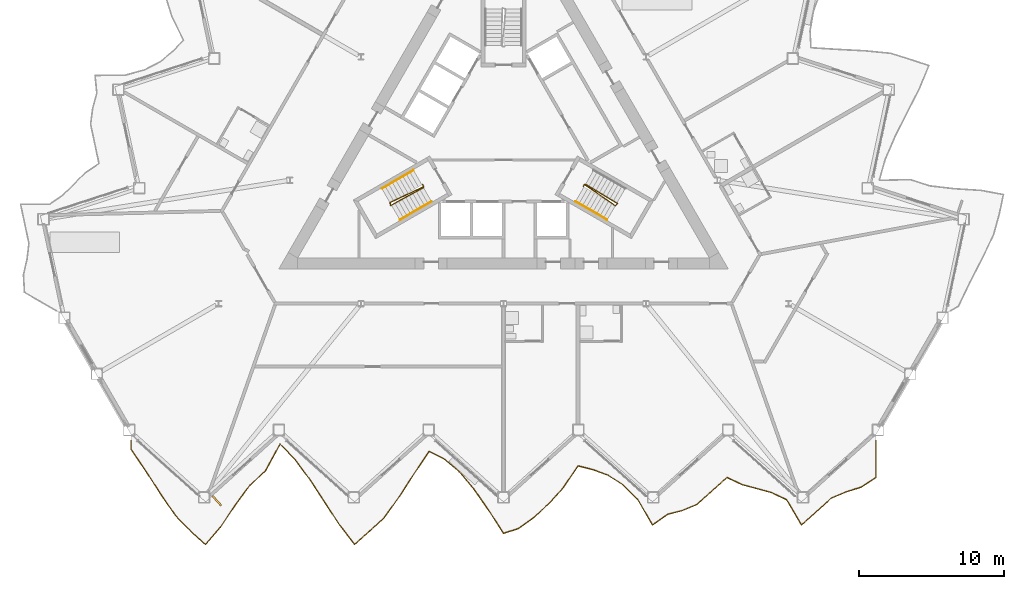
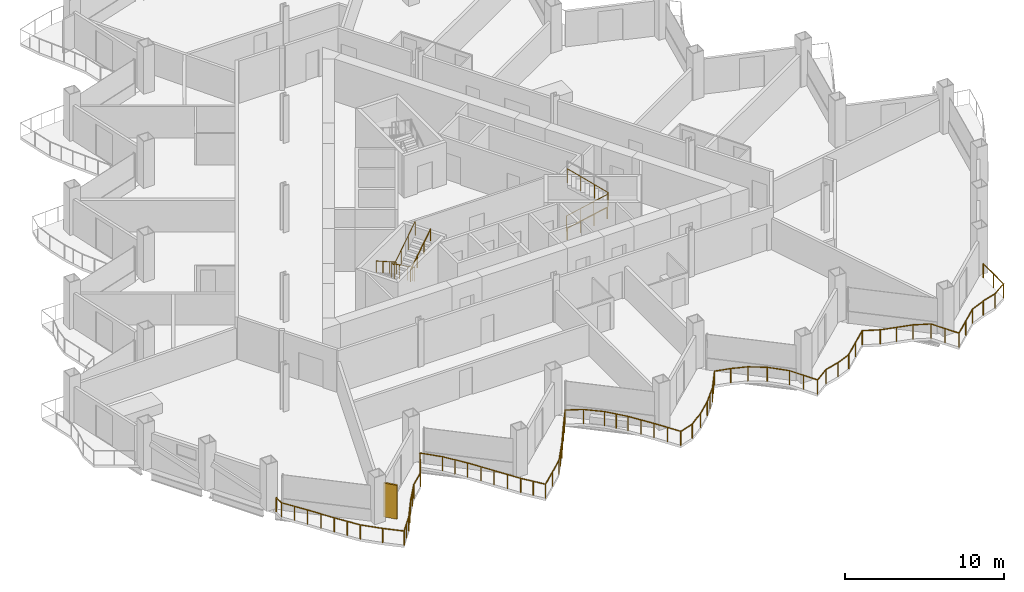
# One storey, part 18 of 22: 6 railings, 1 shading device.
"""IFC4 building model written with IfcOpenShell, lengths in metres."""

from ifc_helpers import new_model, si_unit, direction, frame, origin, origin_2d, place, context, subcontext, project, spatial, rectangle, circle, extrude, material, layer, layer_set, type_object, element, save


model = new_model("IFC4")

# Units and contexts
model_context = context("Model", 3, precision=1e-05, world=origin(), true_north=direction((0.0, 1.0)))
body_context = subcontext(model_context, "Body", "Model", "MODEL_VIEW")
ifc_project = project(units=[si_unit("LENGTHUNIT", "METRE"), si_unit("AREAUNIT", "SQUARE_METRE"), si_unit("VOLUMEUNIT", "CUBIC_METRE"), si_unit("PLANEANGLEUNIT", "RADIAN"), si_unit("MASSUNIT", "GRAM", prefix="KILO")], contexts=[model_context])

# Site, building, storey
site_placement = place(None, origin())
site = spatial("IfcSite", under=ifc_project, at=site_placement, CompositionType="ELEMENT")
building_placement = place(site_placement, origin())
building = spatial("IfcBuilding", under=site, at=building_placement, Name="Cormorant Prow Tower", CompositionType="ELEMENT")
storey_placement = place(building_placement, frame((0.0, 0.0, 190.800048828125)))
storey = spatial("IfcBuildingStorey", under=building, at=storey_placement, Name="L41", CompositionType="ELEMENT", Elevation=190.800048828125)

# Railings
ifc_material_1 = material(Name="Aluminium 6063-T6", Category="aluminium")
railing_type_1 = type_object("IfcRailingType", Name="Balcony guard 1100", PredefinedType="GUARDRAIL", material=ifc_material_1)
railing_1_placement = place(storey_placement, frame((-25.692626953125, -20.779052734375, 0.0)))
element("IfcRailing", 1, at=railing_1_placement, inside=storey, type_object=railing_type_1, Name="Balcony guard S", PredefinedType="GUARDRAIL", context=body_context, shape_type="SweptSolid", body=[
    extrude(circle(Radius=0.02392578125, at=origin_2d()), frame((0.0, 0.0, 1.076171875), z_axis=(0.0, -1.0, 0.0), x_axis=(1.0, 0.0, 0.0)), (0.0, 0.0, 1.0), 0.635986328125),
    extrude(circle(Radius=0.02392578125, at=origin_2d()), frame((0.0, -0.635986328125, 1.076171875), z_axis=(0.562880383359, -0.826538368153, 0.0), x_axis=(0.826538368153, 0.562880383359, 0.0)), (0.0, 0.0, 1.0), 1.825927734375),
    extrude(circle(Radius=0.02392578125, at=origin_2d()), frame((1.02783203125, -2.145263671875, 1.076171875), z_axis=(0.5414205618, -0.840751910649, 0.0), x_axis=(0.840751910649, 0.5414205618, 0.0)), (0.0, 0.0, 1.0), 1.89794921875),
    extrude(circle(Radius=0.02392578125, at=origin_2d()), frame((2.055419921875, -3.740966796875, 1.076171875), z_axis=(0.56798835838, -0.823036587731, 0.0), x_axis=(0.823036587731, 0.56798835838, 0.0)), (0.0, 0.0, 1.0), 1.80908203125),
    extrude(circle(Radius=0.02392578125, at=origin_2d()), frame((3.0830078125, -5.22998046875, 1.076171875), z_axis=(0.702503094506, -0.711680688377, 0.0), x_axis=(0.711680688377, 0.702503094506, 0.0)), (0.0, 0.0, 1.0), 1.463134765625),
    extrude(circle(Radius=0.02392578125, at=origin_2d()), frame((4.11083984375, -6.271240234375, 1.076171875), z_axis=(0.743127320917, -0.669150046632, 0.0), x_axis=(0.669150046632, 0.743127320917, 0.0)), (0.0, 0.0, 1.0), 1.3828125),
    extrude(circle(Radius=0.02392578125, at=origin_2d()), frame((5.138427734375, -7.196533203125, 1.076171875), z_axis=(0.65038416504, 0.759605448812, 0.0), x_axis=(-0.759605448812, 0.65038416504, 0.0)), (0.0, 0.0, 1.0), 1.580322265625),
    extrude(circle(Radius=0.02392578125, at=origin_2d()), frame((6.166259765625, -5.99609375, 1.076171875), z_axis=(0.554122819818, 0.832434922716, 0.0), x_axis=(-0.832434922716, 0.554122819818, 0.0)), (0.0, 0.0, 1.0), 1.8544921875),
    extrude(circle(Radius=0.02392578125, at=origin_2d()), frame((7.19384765625, -4.452392578125, 1.076171875), z_axis=(0.59681979502, 0.80237530637, 0.0), x_axis=(-0.80237530637, 0.59681979502, 0.0)), (0.0, 0.0, 1.0), 1.72216796875),
    extrude(circle(Radius=0.02392578125, at=origin_2d()), frame((8.2216796875, -3.070556640625, 1.076171875), z_axis=(0.743127320917, 0.669150046632, 0.0), x_axis=(-0.669150046632, 0.743127320917, 0.0)), (0.0, 0.0, 1.0), 1.3828125),
    extrude(circle(Radius=0.02392578125, at=origin_2d()), frame((9.249267578125, -2.145263671875, 1.076171875), z_axis=(0.481172710417, 0.87662581684, 0.0), x_axis=(-0.87662581684, 0.481172710417, 0.0)), (0.0, 0.0, 1.0), 2.135986328125),
    extrude(circle(Radius=0.02392578125, at=origin_2d()), frame((10.277099609375, -0.272705078125, 1.076171875), z_axis=(0.69552877323, -0.718498243289, 0.0), x_axis=(0.718498243289, 0.69552877323, 0.0)), (0.0, 0.0, 1.0), 1.4775390625),
    extrude(circle(Radius=0.02392578125, at=origin_2d()), frame((11.3046875, -1.334228515625, 1.076171875), z_axis=(0.597023504083, -0.802223744084, 0.0), x_axis=(0.802223744084, 0.597023504083, 0.0)), (0.0, 0.0, 1.0), 1.7216796875),
    extrude(circle(Radius=0.02392578125, at=origin_2d()), frame((12.33251953125, -2.71533203125, 1.076171875), z_axis=(0.547684018413, -0.836685255024, 0.0), x_axis=(0.836685255024, 0.547684018413, 0.0)), (0.0, 0.0, 1.0), 1.876220703125),
    extrude(circle(Radius=0.02392578125, at=origin_2d()), frame((13.360107421875, -4.28515625, 1.076171875), z_axis=(0.547060291965, -0.83709320685, 0.0), x_axis=(0.83709320685, 0.547060291965, 0.0)), (0.0, 0.0, 1.0), 1.87890625),
    extrude(circle(Radius=0.02392578125, at=origin_2d()), frame((14.387939453125, -5.85791015625, 1.076171875), z_axis=(0.608920414258, -0.793231321306, 0.0), x_axis=(0.793231321306, 0.608920414258, 0.0)), (0.0, 0.0, 1.0), 1.6875),
    extrude(circle(Radius=0.02392578125, at=origin_2d()), frame((15.41552734375, -7.196533203125, 1.076171875), z_axis=(0.743206360721, 0.669062258227, 0.0), x_axis=(-0.669062258227, 0.743206360721, 0.0)), (0.0, 0.0, 1.0), 1.383056640625),
    extrude(circle(Radius=0.02392578125, at=origin_2d()), frame((16.443359375, -6.271240234375, 1.076171875), z_axis=(0.738398132873, 0.674365032731, 0.0), x_axis=(-0.674365032731, 0.738398132873, 0.0)), (0.0, 0.0, 1.0), 1.3916015625),
    extrude(circle(Radius=0.02392578125, at=origin_2d()), frame((17.470947265625, -5.332763671875, 1.076171875), z_axis=(0.582218913064, 0.81303206411, 0.0), x_axis=(-0.81303206411, 0.582218913064, 0.0)), (0.0, 0.0, 1.0), 1.765380859375),
    extrude(circle(Radius=0.02392578125, at=origin_2d()), frame((18.498779296875, -3.8974609375, 1.076171875), z_axis=(0.543476120583, 0.839424628157, 0.0), x_axis=(-0.839424628157, 0.543476120583, 0.0)), (0.0, 0.0, 1.0), 1.890869140625),
    extrude(circle(Radius=0.02392578125, at=origin_2d()), frame((19.5263671875, -2.310302734375, 1.076171875), z_axis=(0.553122603933, 0.833099864973, 0.0), x_axis=(-0.833099864973, 0.553122603933, 0.0)), (0.0, 0.0, 1.0), 1.858154296875),
    extrude(circle(Radius=0.02392578125, at=origin_2d()), frame((20.55419921875, -0.76220703125, 1.076171875), z_axis=(0.89199817842, -0.452038991345, 0.0), x_axis=(0.452038991345, 0.89199817842, 0.0)), (0.0, 0.0, 1.0), 1.152099609375),
    extrude(circle(Radius=0.02392578125, at=origin_2d()), frame((21.581787109375, -1.282958984375, 1.076171875), z_axis=(0.768789762863, -0.639501603217, 0.0), x_axis=(0.639501603217, 0.768789762863, 0.0)), (0.0, 0.0, 1.0), 1.3369140625),
    extrude(circle(Radius=0.02392578125, at=origin_2d()), frame((22.609619140625, -2.137939453125, 1.076171875), z_axis=(0.647402819957, -0.762148009714, 0.0), x_axis=(0.762148009714, 0.647402819957, 0.0)), (0.0, 0.0, 1.0), 1.587158203125),
    extrude(circle(Radius=0.02392578125, at=origin_2d()), frame((23.63720703125, -3.34765625, 1.076171875), z_axis=(0.569723566224, -0.821836393748, 0.0), x_axis=(0.821836393748, 0.569723566224, 0.0)), (0.0, 0.0, 1.0), 1.80419921875),
    extrude(circle(Radius=0.02392578125, at=origin_2d()), frame((24.6650390625, -4.830322265625, 1.076171875), z_axis=(0.541537690381, -0.840676471597, 0.0), x_axis=(0.840676471597, 0.541537690381, 0.0)), (0.0, 0.0, 1.0), 1.8974609375),
    extrude(circle(Radius=0.02392578125, at=origin_2d()), frame((25.692626953125, -6.425537109375, 1.076171875), z_axis=(0.950496607834, 0.310734932853, 0.0), x_axis=(-0.310734932853, 0.950496607834, 0.0)), (0.0, 0.0, 1.0), 1.0810546875),
    extrude(circle(Radius=0.02392578125, at=origin_2d()), frame((26.72021484375, -6.089599609375, 1.076171875), z_axis=(0.810181630991, 0.586178918765, 0.0), x_axis=(-0.586178918765, 0.810181630991, 0.0)), (0.0, 0.0, 1.0), 1.2685546875),
    extrude(circle(Radius=0.02392578125, at=origin_2d()), frame((27.748046875, -5.345947265625, 1.076171875), z_axis=(0.743127320917, 0.669150046632, 0.0), x_axis=(-0.669150046632, 0.743127320917, 0.0)), (0.0, 0.0, 1.0), 1.3828125),
    extrude(circle(Radius=0.02392578125, at=origin_2d()), frame((28.775634765625, -4.420654296875, 1.076171875), z_axis=(0.673388996179, 0.739288346874, 0.0), x_axis=(-0.739288346874, 0.673388996179, 0.0)), (0.0, 0.0, 1.0), 1.5263671875),
    extrude(circle(Radius=0.02392578125, at=origin_2d()), frame((29.803466796875, -3.292236328125, 1.076171875), z_axis=(0.559445461003, 0.828867164365, 0.0), x_axis=(-0.828867164365, 0.559445461003, 0.0)), (0.0, 0.0, 1.0), 1.8369140625),
    extrude(circle(Radius=0.02392578125, at=origin_2d()), frame((30.8310546875, -1.769775390625, 1.076171875), z_axis=(0.970223783339, -0.242210260401, 0.0), x_axis=(0.242210260401, 0.970223783339, 0.0)), (0.0, 0.0, 1.0), 1.059326171875),
    extrude(circle(Radius=0.02392578125, at=origin_2d()), frame((31.85888671875, -2.0263671875, 1.076171875), z_axis=(0.938825840558, -0.344392277933, 0.0), x_axis=(0.344392277933, 0.938825840558, 0.0)), (0.0, 0.0, 1.0), 1.094482421875),
    extrude(circle(Radius=0.02392578125, at=origin_2d()), frame((32.886474609375, -2.4033203125, 1.076171875), z_axis=(0.843125057898, -0.537717525049, 0.0), x_axis=(0.537717525049, 0.843125057898, 0.0)), (0.0, 0.0, 1.0), 1.218994140625),
    extrude(circle(Radius=0.02392578125, at=origin_2d()), frame((33.914306640625, -3.058837890625, 1.076171875), z_axis=(0.712756953572, -0.701411095674, 0.0), x_axis=(0.701411095674, 0.712756953572, 0.0)), (0.0, 0.0, 1.0), 1.441650390625),
    extrude(circle(Radius=0.02392578125, at=origin_2d()), frame((34.94189453125, -4.070068359375, 1.076171875), z_axis=(0.500768984938, -0.865580974678, 0.0), x_axis=(0.865580974678, 0.500768984938, 0.0)), (0.0, 0.0, 1.0), 2.052490234375),
    extrude(circle(Radius=0.02392578125, at=origin_2d()), frame((35.9697265625, -5.8466796875, 1.076171875), z_axis=(0.814961420902, 0.579515213295, 0.0), x_axis=(-0.579515213295, 0.814961420902, 0.0)), (0.0, 0.0, 1.0), 1.260986328125),
    extrude(circle(Radius=0.02392578125, at=origin_2d()), frame((36.997314453125, -5.115966796875, 1.076171875), z_axis=(0.967967929933, 0.251073866862, 0.0), x_axis=(-0.251073866862, 0.967967929933, 0.0)), (0.0, 0.0, 1.0), 1.061767578125),
    extrude(circle(Radius=0.02392578125, at=origin_2d()), frame((38.025146484375, -4.849365234375, 1.076171875), z_axis=(0.922901671941, 0.385035717731, 0.0), x_axis=(-0.385035717731, 0.922901671941, 0.0)), (0.0, 0.0, 1.0), 1.113525390625),
    extrude(circle(Radius=0.02392578125, at=origin_2d()), frame((39.052734375, -4.420654296875, 1.076171875), z_axis=(0.743206360721, 0.669062258227, 0.0), x_axis=(-0.669062258227, 0.743206360721, 0.0)), (0.0, 0.0, 1.0), 1.383056640625),
    extrude(circle(Radius=0.02392578125, at=origin_2d()), frame((40.08056640625, -3.495361328125, 1.076171875), z_axis=(0.743127320917, 0.669150046632, 0.0), x_axis=(-0.669150046632, 0.743127320917, 0.0)), (0.0, 0.0, 1.0), 1.3828125),
    extrude(circle(Radius=0.02392578125, at=origin_2d()), frame((41.108154296875, -2.570068359375, 1.076171875), z_axis=(0.90400437301, -0.427523208234, 0.0), x_axis=(0.427523208234, 0.90400437301, 0.0)), (0.0, 0.0, 1.0), 1.136962890625),
    extrude(circle(Radius=0.02392578125, at=origin_2d()), frame((42.135986328125, -3.05615234375, 1.076171875), z_axis=(0.966200640542, -0.257791237664, 0.0), x_axis=(0.257791237664, 0.966200640542, 0.0)), (0.0, 0.0, 1.0), 1.0634765625),
    extrude(circle(Radius=0.02392578125, at=origin_2d()), frame((43.16357421875, -3.330322265625, 1.076171875), z_axis=(0.96354413656, -0.267549428893, 0.0), x_axis=(0.267549428893, 0.96354413656, 0.0)), (0.0, 0.0, 1.0), 1.066650390625),
    extrude(circle(Radius=0.02392578125, at=origin_2d()), frame((44.19140625, -3.61572265625, 1.076171875), z_axis=(0.905539017298, -0.424262994087, 0.0), x_axis=(0.424262994087, 0.905539017298, 0.0)), (0.0, 0.0, 1.0), 1.134765625),
    extrude(circle(Radius=0.02392578125, at=origin_2d()), frame((45.218994140625, -4.09716796875, 1.076171875), z_axis=(0.506546812459, -0.862212460353, 0.0), x_axis=(0.862212460353, 0.506546812459, 0.0)), (0.0, 0.0, 1.0), 2.029052734375),
    extrude(circle(Radius=0.02392578125, at=origin_2d()), frame((46.246826171875, -5.8466796875, 1.076171875), z_axis=(0.743127320917, 0.669150046632, 0.0), x_axis=(-0.669150046632, 0.743127320917, 0.0)), (0.0, 0.0, 1.0), 1.3828125),
    extrude(circle(Radius=0.02392578125, at=origin_2d()), frame((47.2744140625, -4.92138671875, 1.076171875), z_axis=(0.743118583138, 0.66915975028, 0.0), x_axis=(-0.66915975028, 0.743118583138, 0.0)), (0.0, 0.0, 1.0), 1.383056640625),
    extrude(circle(Radius=0.02392578125, at=origin_2d()), frame((48.30224609375, -3.995849609375, 1.076171875), z_axis=(0.919449829032, 0.393207339572, 0.0), x_axis=(-0.393207339572, 0.919449829032, 0.0)), (0.0, 0.0, 1.0), 1.11767578125),
    extrude(circle(Radius=0.02392578125, at=origin_2d()), frame((49.329833984375, -3.556396484375, 1.076171875), z_axis=(0.956547183631, 0.291577580565, 0.0), x_axis=(-0.291577580565, 0.956547183631, 0.0)), (0.0, 0.0, 1.0), 1.07421875),
    extrude(circle(Radius=0.02392578125, at=origin_2d()), frame((50.357421875, -3.2431640625, 1.076171875), z_axis=(0.83657732916, 0.547848859025, 0.0), x_axis=(-0.547848859025, 0.83657732916, 0.0)), (0.0, 0.0, 1.0), 1.228515625),
    extrude(circle(Radius=0.02392578125, at=origin_2d()), frame((51.38525390625, -2.570068359375, 1.076171875), z_axis=(0.0, 1.0, 0.0), x_axis=(-1.0, 0.0, 0.0)), (0.0, 0.0, 1.0), 2.570068359375),
    extrude(circle(Radius=0.02099609375, at=origin_2d()), origin(), (0.0, 0.0, 1.0), 1.052001953125),
    extrude(circle(Radius=0.02099609375, at=origin_2d()), frame((0.0, -0.635986328125, 0.0)), (0.0, 0.0, 1.0), 1.052001953125),
    extrude(circle(Radius=0.02099609375, at=origin_2d()), frame((0.513916015625, -1.390625, 0.0)), (0.0, 0.0, 1.0), 1.052001953125),
    extrude(circle(Radius=0.02099609375, at=origin_2d()), frame((1.02783203125, -2.145263671875, 0.0)), (0.0, 0.0, 1.0), 1.052001953125),
    extrude(circle(Radius=0.02099609375, at=origin_2d()), frame((1.54150390625, -2.943115234375, 0.0)), (0.0, 0.0, 1.0), 1.052001953125),
    extrude(circle(Radius=0.02099609375, at=origin_2d()), frame((2.055419921875, -3.740966796875, 0.0)), (0.0, 0.0, 1.0), 1.052001953125),
    extrude(circle(Radius=0.02099609375, at=origin_2d()), frame((2.5693359375, -4.4853515625, 0.0)), (0.0, 0.0, 1.0), 1.052001953125),
    extrude(circle(Radius=0.02099609375, at=origin_2d()), frame((3.0830078125, -5.22998046875, 0.0)), (0.0, 0.0, 1.0), 1.052001953125),
    extrude(circle(Radius=0.02099609375, at=origin_2d()), frame((4.11083984375, -6.271240234375, 0.0)), (0.0, 0.0, 1.0), 1.052001953125),
    extrude(circle(Radius=0.02099609375, at=origin_2d()), frame((5.138427734375, -7.196533203125, 0.0)), (0.0, 0.0, 1.0), 1.052001953125),
    extrude(circle(Radius=0.02099609375, at=origin_2d()), frame((5.65234375, -6.59619140625, 0.0)), (0.0, 0.0, 1.0), 1.052001953125),
    extrude(circle(Radius=0.02099609375, at=origin_2d()), frame((6.166259765625, -5.99609375, 0.0)), (0.0, 0.0, 1.0), 1.052001953125),
    extrude(circle(Radius=0.02099609375, at=origin_2d()), frame((6.68017578125, -5.22412109375, 0.0)), (0.0, 0.0, 1.0), 1.052001953125),
    extrude(circle(Radius=0.02099609375, at=origin_2d()), frame((7.19384765625, -4.452392578125, 0.0)), (0.0, 0.0, 1.0), 1.052001953125),
    extrude(circle(Radius=0.02099609375, at=origin_2d()), frame((7.707763671875, -3.761474609375, 0.0)), (0.0, 0.0, 1.0), 1.052001953125),
    extrude(circle(Radius=0.02099609375, at=origin_2d()), frame((8.2216796875, -3.070556640625, 0.0)), (0.0, 0.0, 1.0), 1.052001953125),
    extrude(circle(Radius=0.02099609375, at=origin_2d()), frame((9.249267578125, -2.145263671875, 0.0)), (0.0, 0.0, 1.0), 1.052001953125),
    extrude(circle(Radius=0.02099609375, at=origin_2d()), frame((9.76318359375, -1.208984375, 0.0)), (0.0, 0.0, 1.0), 1.052001953125),
    extrude(circle(Radius=0.02099609375, at=origin_2d()), frame((10.277099609375, -0.272705078125, 0.0)), (0.0, 0.0, 1.0), 1.052001953125),
    extrude(circle(Radius=0.02099609375, at=origin_2d()), frame((11.3046875, -1.334228515625, 0.0)), (0.0, 0.0, 1.0), 1.052001953125),
    extrude(circle(Radius=0.02099609375, at=origin_2d()), frame((11.818603515625, -2.02490234375, 0.0)), (0.0, 0.0, 1.0), 1.052001953125),
    extrude(circle(Radius=0.02099609375, at=origin_2d()), frame((12.33251953125, -2.71533203125, 0.0)), (0.0, 0.0, 1.0), 1.052001953125),
    extrude(circle(Radius=0.02099609375, at=origin_2d()), frame((12.84619140625, -3.500244140625, 0.0)), (0.0, 0.0, 1.0), 1.052001953125),
    extrude(circle(Radius=0.02099609375, at=origin_2d()), frame((13.360107421875, -4.28515625, 0.0)), (0.0, 0.0, 1.0), 1.052001953125),
    extrude(circle(Radius=0.02099609375, at=origin_2d()), frame((13.8740234375, -5.071533203125, 0.0)), (0.0, 0.0, 1.0), 1.052001953125),
    extrude(circle(Radius=0.02099609375, at=origin_2d()), frame((14.387939453125, -5.85791015625, 0.0)), (0.0, 0.0, 1.0), 1.052001953125),
    extrude(circle(Radius=0.02099609375, at=origin_2d()), frame((14.90185546875, -6.52734375, 0.0)), (0.0, 0.0, 1.0), 1.052001953125),
    extrude(circle(Radius=0.02099609375, at=origin_2d()), frame((15.41552734375, -7.196533203125, 0.0)), (0.0, 0.0, 1.0), 1.052001953125),
    extrude(circle(Radius=0.02099609375, at=origin_2d()), frame((16.443359375, -6.271240234375, 0.0)), (0.0, 0.0, 1.0), 1.052001953125),
    extrude(circle(Radius=0.02099609375, at=origin_2d()), frame((17.470947265625, -5.332763671875, 0.0)), (0.0, 0.0, 1.0), 1.052001953125),
    extrude(circle(Radius=0.02099609375, at=origin_2d()), frame((17.98486328125, -4.615234375, 0.0)), (0.0, 0.0, 1.0), 1.052001953125),
    extrude(circle(Radius=0.02099609375, at=origin_2d()), frame((18.498779296875, -3.8974609375, 0.0)), (0.0, 0.0, 1.0), 1.052001953125),
    extrude(circle(Radius=0.02099609375, at=origin_2d()), frame((19.0126953125, -3.10400390625, 0.0)), (0.0, 0.0, 1.0), 1.052001953125),
    extrude(circle(Radius=0.02099609375, at=origin_2d()), frame((19.5263671875, -2.310302734375, 0.0)), (0.0, 0.0, 1.0), 1.052001953125),
    extrude(circle(Radius=0.02099609375, at=origin_2d()), frame((20.040283203125, -1.5361328125, 0.0)), (0.0, 0.0, 1.0), 1.052001953125),
    extrude(circle(Radius=0.02099609375, at=origin_2d()), frame((20.55419921875, -0.76220703125, 0.0)), (0.0, 0.0, 1.0), 1.052001953125),
    extrude(circle(Radius=0.02099609375, at=origin_2d()), frame((21.581787109375, -1.282958984375, 0.0)), (0.0, 0.0, 1.0), 1.052001953125),
    extrude(circle(Radius=0.02099609375, at=origin_2d()), frame((22.609619140625, -2.137939453125, 0.0)), (0.0, 0.0, 1.0), 1.052001953125),
    extrude(circle(Radius=0.02099609375, at=origin_2d()), frame((23.12353515625, -2.74267578125, 0.0)), (0.0, 0.0, 1.0), 1.052001953125),
    extrude(circle(Radius=0.02099609375, at=origin_2d()), frame((23.63720703125, -3.34765625, 0.0)), (0.0, 0.0, 1.0), 1.052001953125),
    extrude(circle(Radius=0.02099609375, at=origin_2d()), frame((24.151123046875, -4.0888671875, 0.0)), (0.0, 0.0, 1.0), 1.052001953125),
    extrude(circle(Radius=0.02099609375, at=origin_2d()), frame((24.6650390625, -4.830322265625, 0.0)), (0.0, 0.0, 1.0), 1.052001953125),
    extrude(circle(Radius=0.02099609375, at=origin_2d()), frame((25.1787109375, -5.6279296875, 0.0)), (0.0, 0.0, 1.0), 1.052001953125),
    extrude(circle(Radius=0.02099609375, at=origin_2d()), frame((25.692626953125, -6.425537109375, 0.0)), (0.0, 0.0, 1.0), 1.052001953125),
    extrude(circle(Radius=0.02099609375, at=origin_2d()), frame((26.72021484375, -6.089599609375, 0.0)), (0.0, 0.0, 1.0), 1.052001953125),
    extrude(circle(Radius=0.02099609375, at=origin_2d()), frame((27.748046875, -5.345947265625, 0.0)), (0.0, 0.0, 1.0), 1.052001953125),
    extrude(circle(Radius=0.02099609375, at=origin_2d()), frame((28.775634765625, -4.420654296875, 0.0)), (0.0, 0.0, 1.0), 1.052001953125),
    extrude(circle(Radius=0.02099609375, at=origin_2d()), frame((29.28955078125, -3.8564453125, 0.0)), (0.0, 0.0, 1.0), 1.052001953125),
    extrude(circle(Radius=0.02099609375, at=origin_2d()), frame((29.803466796875, -3.292236328125, 0.0)), (0.0, 0.0, 1.0), 1.052001953125),
    extrude(circle(Radius=0.02099609375, at=origin_2d()), frame((30.3173828125, -2.531005859375, 0.0)), (0.0, 0.0, 1.0), 1.052001953125),
    extrude(circle(Radius=0.02099609375, at=origin_2d()), frame((30.8310546875, -1.769775390625, 0.0)), (0.0, 0.0, 1.0), 1.052001953125),
    extrude(circle(Radius=0.02099609375, at=origin_2d()), frame((31.85888671875, -2.0263671875, 0.0)), (0.0, 0.0, 1.0), 1.052001953125),
    extrude(circle(Radius=0.02099609375, at=origin_2d()), frame((32.886474609375, -2.4033203125, 0.0)), (0.0, 0.0, 1.0), 1.052001953125),
    extrude(circle(Radius=0.02099609375, at=origin_2d()), frame((33.914306640625, -3.058837890625, 0.0)), (0.0, 0.0, 1.0), 1.052001953125),
    extrude(circle(Radius=0.02099609375, at=origin_2d()), frame((34.94189453125, -4.070068359375, 0.0)), (0.0, 0.0, 1.0), 1.052001953125),
    extrude(circle(Radius=0.02099609375, at=origin_2d()), frame((35.455810546875, -4.95849609375, 0.0)), (0.0, 0.0, 1.0), 1.052001953125),
    extrude(circle(Radius=0.02099609375, at=origin_2d()), frame((35.9697265625, -5.8466796875, 0.0)), (0.0, 0.0, 1.0), 1.052001953125),
    extrude(circle(Radius=0.02099609375, at=origin_2d()), frame((36.997314453125, -5.115966796875, 0.0)), (0.0, 0.0, 1.0), 1.052001953125),
    extrude(circle(Radius=0.02099609375, at=origin_2d()), frame((38.025146484375, -4.849365234375, 0.0)), (0.0, 0.0, 1.0), 1.052001953125),
    extrude(circle(Radius=0.02099609375, at=origin_2d()), frame((39.052734375, -4.420654296875, 0.0)), (0.0, 0.0, 1.0), 1.052001953125),
    extrude(circle(Radius=0.02099609375, at=origin_2d()), frame((40.08056640625, -3.495361328125, 0.0)), (0.0, 0.0, 1.0), 1.052001953125),
    extrude(circle(Radius=0.02099609375, at=origin_2d()), frame((41.108154296875, -2.570068359375, 0.0)), (0.0, 0.0, 1.0), 1.052001953125),
    extrude(circle(Radius=0.02099609375, at=origin_2d()), frame((42.135986328125, -3.05615234375, 0.0)), (0.0, 0.0, 1.0), 1.052001953125),
    extrude(circle(Radius=0.02099609375, at=origin_2d()), frame((43.16357421875, -3.330322265625, 0.0)), (0.0, 0.0, 1.0), 1.052001953125),
    extrude(circle(Radius=0.02099609375, at=origin_2d()), frame((44.19140625, -3.61572265625, 0.0)), (0.0, 0.0, 1.0), 1.052001953125),
    extrude(circle(Radius=0.02099609375, at=origin_2d()), frame((45.218994140625, -4.09716796875, 0.0)), (0.0, 0.0, 1.0), 1.052001953125),
    extrude(circle(Radius=0.02099609375, at=origin_2d()), frame((45.73291015625, -4.971923828125, 0.0)), (0.0, 0.0, 1.0), 1.052001953125),
    extrude(circle(Radius=0.02099609375, at=origin_2d()), frame((46.246826171875, -5.8466796875, 0.0)), (0.0, 0.0, 1.0), 1.052001953125),
    extrude(circle(Radius=0.02099609375, at=origin_2d()), frame((47.2744140625, -4.92138671875, 0.0)), (0.0, 0.0, 1.0), 1.052001953125),
    extrude(circle(Radius=0.02099609375, at=origin_2d()), frame((48.30224609375, -3.995849609375, 0.0)), (0.0, 0.0, 1.0), 1.052001953125),
    extrude(circle(Radius=0.02099609375, at=origin_2d()), frame((49.329833984375, -3.556396484375, 0.0)), (0.0, 0.0, 1.0), 1.052001953125),
    extrude(circle(Radius=0.02099609375, at=origin_2d()), frame((50.357421875, -3.2431640625, 0.0)), (0.0, 0.0, 1.0), 1.052001953125),
    extrude(circle(Radius=0.02099609375, at=origin_2d()), frame((51.38525390625, -2.570068359375, 0.0)), (0.0, 0.0, 1.0), 1.052001953125),
    extrude(circle(Radius=0.02099609375, at=origin_2d()), frame((51.38525390625, -1.28515625, 0.0)), (0.0, 0.0, 1.0), 1.052001953125),
    extrude(circle(Radius=0.02099609375, at=origin_2d()), frame((51.38525390625, 0.0, 0.0)), (0.0, 0.0, 1.0), 1.052001953125),
])
ifc_material_2 = material(Name="Stainless steel", Category="steel")
railing_type_2 = type_object("IfcRailingType", Name="Stair guard 1100", PredefinedType="GUARDRAIL", material=ifc_material_2)
railing_2_placement = place(storey_placement, frame((-5.585205078125, -3.137939453125, 0.0)))
element("IfcRailing", 2, at=railing_2_placement, inside=storey, type_object=railing_type_2, Name="L41 ST1 stair guard 1", PredefinedType="GUARDRAIL", context=body_context, shape_type="SweptSolid", body=[
    extrude(circle(Radius=0.02392578125, at=origin_2d()), frame((0.0, 0.0, 1.076171875), z_axis=(0.501036270542, -0.865426285481, 0.0), x_axis=(0.865426285481, 0.501036270542, 0.0)), (0.0, 0.0, 1.0), 0.150146484375),
    extrude(circle(Radius=0.02392578125, at=origin_2d()), frame((0.0751953125, -0.1298828125, 1.076171875), z_axis=(-0.739707038506, -0.353624380995, 0.572523619033), x_axis=(0.431308035802, -0.902204731895, 0.0)), (0.0, 0.0, 1.0), 3.14404296875),
    extrude(circle(Radius=0.02392578125, at=origin_2d()), frame((-2.25048828125, -1.24169921875, 2.8759765625), z_axis=(0.274721127897, -0.961523947641, 0.0), x_axis=(0.961523947641, 0.274721127897, 0.0)), (0.0, 0.0, 1.0), 0.2060546875),
    extrude(circle(Radius=0.02392578125, at=origin_2d()), frame((-2.19384765625, -1.43994140625, 2.8759765625), z_axis=(0.717255481879, 0.395700334183, 0.573555419504), x_axis=(-0.483052234887, 0.87559153626, 0.0)), (0.0, 0.0, 1.0), 3.137939453125),
    extrude(circle(Radius=0.02099609375, at=origin_2d()), origin(), (0.0, 0.0, 1.0), 1.052001953125),
    extrude(circle(Radius=0.02099609375, at=origin_2d()), frame((0.0751953125, -0.1298828125, 0.0)), (0.0, 0.0, 1.0), 1.052001953125),
    extrude(circle(Radius=0.02099609375, at=origin_2d()), frame((-0.699951171875, -0.50048828125, 0.60009765625)), (0.0, 0.0, 1.0), 1.052001953125),
    extrude(circle(Radius=0.02099609375, at=origin_2d()), frame((-1.475341796875, -0.87109375, 1.199951171875)), (0.0, 0.0, 1.0), 1.052001953125),
    extrude(circle(Radius=0.02099609375, at=origin_2d()), frame((-2.25048828125, -1.24169921875, 1.800048828125)), (0.0, 0.0, 1.0), 1.052001953125),
    extrude(circle(Radius=0.02099609375, at=origin_2d()), frame((-2.19384765625, -1.43994140625, 1.800048828125)), (0.0, 0.0, 1.0), 1.052001953125),
    extrude(circle(Radius=0.02099609375, at=origin_2d()), frame((-1.443603515625, -1.026123046875, 2.39990234375)), (0.0, 0.0, 1.0), 1.052001953125),
    extrude(circle(Radius=0.02099609375, at=origin_2d()), frame((-0.693359375, -0.612060546875, 3.0)), (0.0, 0.0, 1.0), 1.052001953125),
    extrude(circle(Radius=0.02099609375, at=origin_2d()), frame((0.056884765625, -0.1982421875, 3.599853515625)), (0.0, 0.0, 1.0), 1.052001953125),
])
railing_3_placement = place(storey_placement, frame((5.510009765625, -3.267822265625, 0.0)))
element("IfcRailing", 3, at=railing_3_placement, inside=storey, type_object=railing_type_2, Name="L41 ST2 stair guard 1", PredefinedType="GUARDRAIL", context=body_context, shape_type="SweptSolid", body=[
    extrude(circle(Radius=0.02392578125, at=origin_2d()), frame((0.0, 0.0, 1.076171875), z_axis=(0.501036270542, 0.865426285481, 0.0), x_axis=(-0.865426285481, 0.501036270542, 0.0)), (0.0, 0.0, 1.0), 0.150146484375),
    extrude(circle(Radius=0.02392578125, at=origin_2d()), frame((0.0751953125, 0.1298828125, 1.076171875), z_axis=(0.676058237057, -0.463829066155, 0.572545070276), x_axis=(0.565732651216, 0.824588726183, 0.0)), (0.0, 0.0, 1.0), 3.14404296875),
    extrude(circle(Radius=0.02392578125, at=origin_2d()), frame((2.20068359375, -1.328369140625, 2.8759765625), z_axis=(0.695164929852, 0.718850276695, 0.0), x_axis=(-0.718850276695, 0.695164929852, 0.0)), (0.0, 0.0, 1.0), 0.2060546875),
    extrude(circle(Radius=0.02392578125, at=origin_2d()), frame((2.343994140625, -1.18017578125, 2.8759765625), z_axis=(-0.701307540925, 0.423320870887, 0.573556599922), x_axis=(-0.516770599887, -0.856123908726, 0.0)), (0.0, 0.0, 1.0), 3.137939453125),
    extrude(circle(Radius=0.02099609375, at=origin_2d()), origin(), (0.0, 0.0, 1.0), 1.052001953125),
    extrude(circle(Radius=0.02099609375, at=origin_2d()), frame((0.0751953125, 0.1298828125, 0.0)), (0.0, 0.0, 1.0), 1.052001953125),
    extrude(circle(Radius=0.02099609375, at=origin_2d()), frame((0.78369140625, -0.356201171875, 0.60009765625)), (0.0, 0.0, 1.0), 1.052001953125),
    extrude(circle(Radius=0.02099609375, at=origin_2d()), frame((1.4921875, -0.84228515625, 1.199951171875)), (0.0, 0.0, 1.0), 1.052001953125),
    extrude(circle(Radius=0.02099609375, at=origin_2d()), frame((2.20068359375, -1.328369140625, 1.800048828125)), (0.0, 0.0, 1.0), 1.052001953125),
    extrude(circle(Radius=0.02099609375, at=origin_2d()), frame((2.343994140625, -1.18017578125, 1.800048828125)), (0.0, 0.0, 1.0), 1.052001953125),
    extrude(circle(Radius=0.02099609375, at=origin_2d()), frame((1.6103515625, -0.7373046875, 2.39990234375)), (0.0, 0.0, 1.0), 1.052001953125),
    extrude(circle(Radius=0.02099609375, at=origin_2d()), frame((0.876953125, -0.294677734375, 3.0)), (0.0, 0.0, 1.0), 1.052001953125),
    extrude(circle(Radius=0.02099609375, at=origin_2d()), frame((0.143310546875, 0.148193359375, 3.599853515625)), (0.0, 0.0, 1.0), 1.052001953125),
])
ifc_material_3 = material(Name="Stainless steel", Category="steel")
railing_type_3 = type_object("IfcRailingType", Name="Stair handrail 900", PredefinedType="HANDRAIL", material=ifc_material_3)
railing_4_placement = place(storey_placement, frame((-6.212890625, -2.150634765625, 0.179931640625)))
element("IfcRailing", 4, at=railing_4_placement, inside=storey, type_object=railing_type_3, Name="L41 ST1 stair handrail 1", PredefinedType="HANDRAIL", context=body_context, shape_type="SweptSolid", body=[
    extrude(circle(Radius=0.02392578125, at=origin_2d()), frame((0.0, 0.0, 0.8759765625), z_axis=(-0.728463801763, -0.420584145978, 0.540785970299), x_axis=(0.500004791531, -0.866022637375, 0.0)), (0.0, 0.0, 1.0), 2.995849609375),
    extrude(circle(Radius=0.02099609375, at=origin_2d()), origin(), (0.0, 0.0, 1.0), 0.851806640625),
    extrude(circle(Radius=0.02099609375, at=origin_2d()), frame((-0.7275390625, -0.419921875, 0.5400390625)), (0.0, 0.0, 1.0), 0.851806640625),
    extrude(circle(Radius=0.02099609375, at=origin_2d()), frame((-1.454833984375, -0.840087890625, 1.080078125)), (0.0, 0.0, 1.0), 0.851806640625),
    extrude(circle(Radius=0.02099609375, at=origin_2d()), frame((-2.182373046875, -1.260009765625, 1.6201171875)), (0.0, 0.0, 1.0), 0.851806640625),
])
railing_5_placement = place(storey_placement, frame((-7.1513671875, -5.565185546875, 1.97998046875)))
element("IfcRailing", 5, at=railing_5_placement, inside=storey, type_object=railing_type_3, Name="L41 ST1 stair handrail 2", PredefinedType="HANDRAIL", context=body_context, shape_type="SweptSolid", body=[
    extrude(circle(Radius=0.02392578125, at=origin_2d()), frame((0.0, 0.0, 0.8759765625), z_axis=(0.72849590497, 0.42060268101, 0.54072830624), x_axis=(-0.500004791531, 0.866022637375, 0.0)), (0.0, 0.0, 1.0), 2.99560546875),
    extrude(circle(Radius=0.02099609375, at=origin_2d()), origin(), (0.0, 0.0, 1.0), 0.851806640625),
    extrude(circle(Radius=0.02099609375, at=origin_2d()), frame((0.7275390625, 0.419921875, 0.5400390625)), (0.0, 0.0, 1.0), 0.851806640625),
    extrude(circle(Radius=0.02099609375, at=origin_2d()), frame((1.454833984375, 0.840087890625, 1.079833984375)), (0.0, 0.0, 1.0), 0.851806640625),
    extrude(circle(Radius=0.02099609375, at=origin_2d()), frame((2.182373046875, 1.260009765625, 1.619873046875)), (0.0, 0.0, 1.0), 0.851806640625),
])
railing_6_placement = place(storey_placement, frame((4.968994140625, -4.30517578125, 0.179931640625)))
element("IfcRailing", 6, at=railing_6_placement, inside=storey, type_object=railing_type_3, Name="L41 ST2 stair handrail 1", PredefinedType="HANDRAIL", context=body_context, shape_type="SweptSolid", body=[
    extrude(circle(Radius=0.02392578125, at=origin_2d()), frame((0.0, 0.0, 0.8759765625), z_axis=(0.728463801763, -0.420584145978, 0.540785970299), x_axis=(0.500004791531, 0.866022637375, 0.0)), (0.0, 0.0, 1.0), 2.995849609375),
    extrude(circle(Radius=0.02099609375, at=origin_2d()), origin(), (0.0, 0.0, 1.0), 0.851806640625),
    extrude(circle(Radius=0.02099609375, at=origin_2d()), frame((0.7275390625, -0.419921875, 0.5400390625)), (0.0, 0.0, 1.0), 0.851806640625),
    extrude(circle(Radius=0.02099609375, at=origin_2d()), frame((1.454833984375, -0.840087890625, 1.080078125)), (0.0, 0.0, 1.0), 0.851806640625),
    extrude(circle(Radius=0.02099609375, at=origin_2d()), frame((2.182373046875, -1.260009765625, 1.6201171875)), (0.0, 0.0, 1.0), 0.851806640625),
])

# Shading device
ifc_material_4 = material(Name="Terracotta", Category="masonry")
ifc_layer = layer(ifc_material_4, 0.1201171875)
ifc_layer_set = layer_set([ifc_layer], Name="Terracotta")
shading_device_type = type_object("IfcShadingDeviceType", Name="Terracotta baguette fin 120x900x2600", PredefinedType="USERDEFINED", material=ifc_layer_set)
shading_device_placement = place(storey_placement, frame((-19.786376953125, -24.93994140625, 0.0), z_axis=(0.0, 0.0, 1.0), x_axis=(0.743144831959, 0.66913059916, 0.0)))
element("IfcShadingDevice", 7, at=shading_device_placement, inside=storey, type_object=shading_device_type, Name="Baguette fin S01", ObjectType="BAGUETTE", PredefinedType="USERDEFINED", context=body_context, shape_type="SweptSolid", body=[
    extrude(rectangle(XDim=0.1201171875, YDim=0.89990234375, at=origin_2d()), origin(), (0.0, 0.0, 1.0), 2.60009765625),
])

save(model, "model.ifc")
